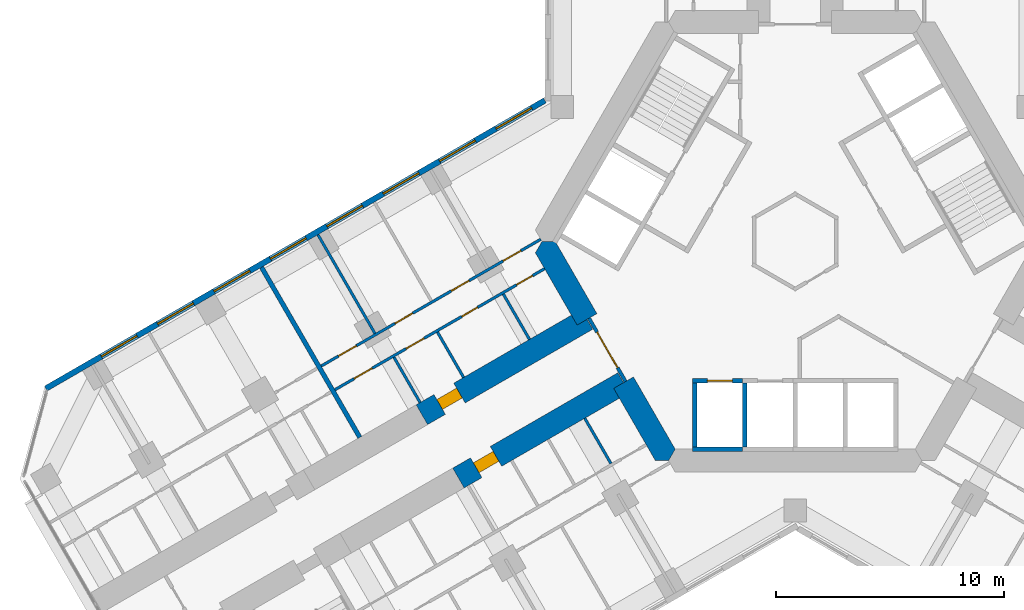
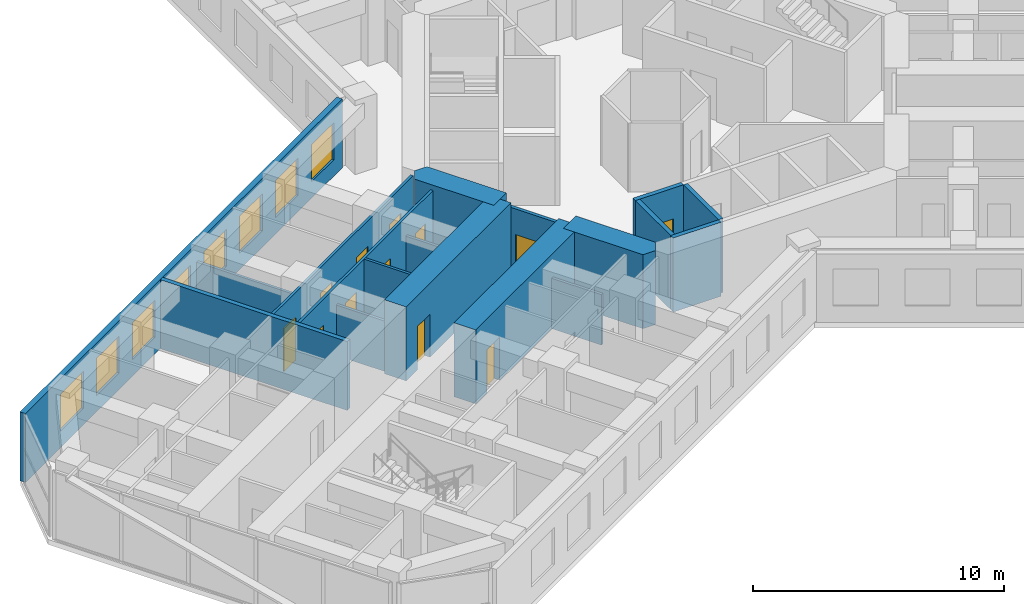
# One storey, part 12 of 21: 18 walls, 12 doors, 8 windows, 20 openings.
"""IFC4 building model written with IfcOpenShell, lengths in metres."""

import ifcopenshell
import ifcopenshell.guid

model = None  # the IFC model being written
_history = None  # IfcOwnerHistory: only IFC2X3 demands one
_inside = {}  # id of a spatial element -> (the spatial element, [elements in it])
_under = {}  # id of a project, library or spatial element -> (it, [spatial elements below it])
_declared = {}  # id of a project -> (the project, [libraries it declares])
_typed = {}  # id of a type object -> (the type object, [elements of that type])
_made_of = {}  # id of a material, layer set ... -> (it, [elements and type objects made of it])


def new_model(schema):
    """Start an empty IFC model of exactly this schema.

    Asked for "IFC4X3", IfcOpenShell would pick the latest addendum, in which some entities
    have other attributes; the version numbers below select the first issue.
    IFC2X3 requires an IfcOwnerHistory on every rooted entity: one is made here for all.
    """
    global model, _history
    if schema == "IFC4X3":
        model = ifcopenshell.file(schema_version=(4, 3, 0, 0))
    else:
        model = ifcopenshell.file(schema=schema)
    _inside.clear()
    _under.clear()
    _declared.clear()
    _typed.clear()
    _made_of.clear()
    _history = None
    if model.schema == "IFC2X3":
        org = make("IfcOrganization", Name="unknown")
        user = make(
            "IfcPersonAndOrganization",
            ThePerson=make("IfcPerson", FamilyName="unknown"),
            TheOrganization=org,
        )
        app = make(
            "IfcApplication",
            ApplicationDeveloper=org,
            Version="unknown",
            ApplicationFullName="unknown",
            ApplicationIdentifier="unknown",
        )
        _history = make(
            "IfcOwnerHistory",
            OwningUser=user,
            OwningApplication=app,
            ChangeAction="ADDED",
            CreationDate=0,
        )
    return model


def make(cls, **values):
    """One entity of the class cls with the attributes given. An attribute that is None is left unset."""
    return model.create_entity(
        cls, **{name: value for name, value in values.items() if value is not None}
    )


def rooted(cls, **values):
    """An entity with a GlobalId (a new one), such as an element, a storey or a relation."""
    return make(cls, GlobalId=ifcopenshell.guid.new(), OwnerHistory=_history, **values)


def si_unit(unit_type, name, prefix=None):
    """IfcSIUnit, for example si_unit("LENGTHUNIT", "METRE", prefix="MILLI")."""
    return make("IfcSIUnit", UnitType=unit_type, Prefix=prefix, Name=name)


def assignment(units):
    """IfcUnitAssignment: the units of a project."""
    return None if units is None else make("IfcUnitAssignment", Units=units)


def point(xyz):
    """IfcCartesianPoint."""
    return None if xyz is None else make("IfcCartesianPoint", Coordinates=xyz)


def direction(xyz):
    """IfcDirection."""
    return None if xyz is None else make("IfcDirection", DirectionRatios=xyz)


def frame(location, z_axis=None, x_axis=None):
    """IfcAxis2Placement3D, a coordinate frame: its origin and axes. An axis left out is left unset."""
    return make(
        "IfcAxis2Placement3D",
        Location=point(location),
        Axis=direction(z_axis),
        RefDirection=direction(x_axis),
    )


def frame_2d(location, x_axis=None):
    """IfcAxis2Placement2D, a coordinate frame in the plane: its origin and x axis."""
    return make(
        "IfcAxis2Placement2D", Location=point(location), RefDirection=direction(x_axis)
    )


def origin():
    """The frame at (0, 0, 0) with its axes left unset."""
    return frame((0.0, 0.0, 0.0))


def place(relative_to, where):
    """IfcLocalPlacement: puts the frame where relative to a parent placement (None: the world)."""
    return make(
        "IfcLocalPlacement", PlacementRelTo=relative_to, RelativePlacement=where
    )


def context(
    kind, dimensions, precision=None, world=None, true_north=None, identifier=None
):
    """IfcGeometricRepresentationContext, for example the 3D "Model" context."""
    return make(
        "IfcGeometricRepresentationContext",
        ContextIdentifier=identifier,
        ContextType=kind,
        CoordinateSpaceDimension=dimensions,
        Precision=precision,
        WorldCoordinateSystem=world,
        TrueNorth=true_north,
    )


def subcontext(parent, identifier, kind, view, scale=None):
    """IfcGeometricRepresentationSubContext, for example "Body" below "Model"."""
    return make(
        "IfcGeometricRepresentationSubContext",
        ContextIdentifier=identifier,
        ContextType=kind,
        ParentContext=parent,
        TargetScale=scale,
        TargetView=view,
    )


def project(units=None, contexts=None):
    """IfcProject with its units and contexts."""
    return rooted(
        "IfcProject",
        Name="project",
        RepresentationContexts=contexts,
        UnitsInContext=assignment(units),
    )


def spatial(cls, under=None, at=None, **own):
    """A site, building, storey or space (cls), placed at a placement, below another one or the project."""
    s = rooted(cls, ObjectPlacement=at, **own)
    if under is not None:
        _under.setdefault(under.id(), (under, []))[1].append(s)
    return s


def polyline(points):
    """IfcPolyline through the points."""
    return make("IfcPolyline", Points=[point(p) for p in points])


def profile(cls, at=None, kind="AREA", **sizes):
    """A parametric profile (cls). Its sizes go by their IFC names, for example OverallWidth=200.0."""
    return make(cls, ProfileType=kind, Position=at, **sizes)


def rectangle(**sizes):
    """IfcRectangleProfileDef."""
    return profile("IfcRectangleProfileDef", **sizes)


def outline(outer, holes=None, kind="AREA"):
    """IfcArbitraryClosedProfileDef: a profile drawn as a closed curve; with holes, ...WithVoids."""
    if holes is None:
        return make("IfcArbitraryClosedProfileDef", ProfileType=kind, OuterCurve=outer)
    return make(
        "IfcArbitraryProfileDefWithVoids",
        ProfileType=kind,
        OuterCurve=outer,
        InnerCurves=holes,
    )


def extrude(swept, where, along, depth):
    """IfcExtrudedAreaSolid: the profile swept, set in the frame where, extruded along a direction by depth."""
    return make(
        "IfcExtrudedAreaSolid",
        SweptArea=swept,
        Position=where,
        ExtrudedDirection=direction(along),
        Depth=depth,
    )


def shape(context_of_items, identifier, shape_type, items):
    """IfcShapeRepresentation: the items that make up one representation, for example the "Body"."""
    return make(
        "IfcShapeRepresentation",
        ContextOfItems=context_of_items,
        RepresentationIdentifier=identifier,
        RepresentationType=shape_type,
        Items=items,
    )


def material(Name=None, Category=None):
    """IfcMaterial."""
    return make("IfcMaterial", Name=Name, Category=Category)


def layer(
    of_material, thickness, ventilated=None, Name=None, Category=None, Priority=None
):
    """IfcMaterialLayer: one layer of a wall or slab, of a material (None: an air gap)."""
    return make(
        "IfcMaterialLayer",
        Material=of_material,
        LayerThickness=thickness,
        IsVentilated=ventilated,
        Name=Name,
        Category=Category,
        Priority=Priority,
    )


def layer_set(layers, Name=None):
    """IfcMaterialLayerSet."""
    return make("IfcMaterialLayerSet", MaterialLayers=layers, LayerSetName=Name)


def made_of(thing, what):
    """Note that an element or type object is made of a material, layer set ...; save() writes the relation."""
    if what is not None:
        _made_of.setdefault(what.id(), (what, []))[1].append(thing)
    return thing


def type_object(cls, material=None, **own):
    """A type object (cls), such as IfcWallType, which elements share."""
    return made_of(rooted(cls, **own), material)


def element(
    cls,
    number,
    at=None,
    inside=None,
    cuts=None,
    type_object=None,
    material=None,
    context=None,
    identifier="Body",
    shape_type=None,
    held_by="IfcProductDefinitionShape",
    body=None,
    shapes=None,
    **own,
):
    """One element of the class cls, such as IfcWall. Its Tag is "e" and its number.

    at: its placement. inside: the storey or other place that contains it. cuts: it is an
    opening in that element (IfcRelVoidsElement). A single representation is given by context,
    identifier, shape_type and body (its items); several are given by shapes. held_by: the class
    of the entity that holds the representations. save() writes the other relations.
    """
    e = rooted(cls, Tag="e%d" % number, ObjectPlacement=at, **own)
    if body is not None:
        shapes = [shape(context, identifier, shape_type, body)]
    if shapes is not None:
        e.Representation = make(held_by, Representations=shapes)
    if inside is not None:
        _inside.setdefault(inside.id(), (inside, []))[1].append(e)
    if cuts is not None:
        rooted(
            "IfcRelVoidsElement", RelatingBuildingElement=cuts, RelatedOpeningElement=e
        )
    if type_object is not None:
        _typed.setdefault(type_object.id(), (type_object, []))[1].append(e)
    return made_of(e, material)


def fill(opening, filler):
    """IfcRelFillsElement: the door or window that sits in an opening."""
    return rooted(
        "IfcRelFillsElement",
        RelatingOpeningElement=opening,
        RelatedBuildingElement=filler,
    )


def aggregate(whole, parts):
    """IfcRelAggregates: a whole, such as a stair, and the parts it consists of."""
    return rooted("IfcRelAggregates", RelatingObject=whole, RelatedObjects=parts)


def save(model, path):
    """Write the relations noted so far, then the file.

    IfcRelAggregates (storeys below a building ...), IfcRelContainedInSpatialStructure (elements
    in a storey), IfcRelDefinesByType, IfcRelAssociatesMaterial and IfcRelDeclares: one each for
    every whole, place, type object, material and project.
    """
    for whole, parts in _under.values():
        aggregate(whole, parts)
    for where, things in _inside.values():
        rooted(
            "IfcRelContainedInSpatialStructure",
            RelatedElements=things,
            RelatingStructure=where,
        )
    for kind, things in _typed.values():
        rooted("IfcRelDefinesByType", RelatedObjects=things, RelatingType=kind)
    for what, things in _made_of.values():
        rooted("IfcRelAssociatesMaterial", RelatedObjects=things, RelatingMaterial=what)
    for by, libraries in _declared.values():
        rooted("IfcRelDeclares", RelatingContext=by, RelatedDefinitions=libraries)
    model.write(path)


model = new_model("IFC4")

# Units and contexts
model_context = context("Model", 3, precision=1e-05, world=origin(), true_north=direction((0.0, 1.0)))
body_context = subcontext(model_context, "Body", "Model", "MODEL_VIEW")
ifc_project = project(units=[si_unit("LENGTHUNIT", "METRE"), si_unit("AREAUNIT", "SQUARE_METRE"), si_unit("VOLUMEUNIT", "CUBIC_METRE"), si_unit("PLANEANGLEUNIT", "RADIAN"), si_unit("MASSUNIT", "GRAM", prefix="KILO")], contexts=[model_context])

# Site, building, storey
site_placement = place(None, origin())
site = spatial("IfcSite", under=ifc_project, at=site_placement, CompositionType="ELEMENT")
building_placement = place(site_placement, origin())
building = spatial("IfcBuilding", under=site, at=building_placement, Name="Kosmar Iwan School Tower", CompositionType="ELEMENT")
storey_placement = place(building_placement, frame((0.0, 0.0, 71.800048828125)))
storey = spatial("IfcBuildingStorey", under=building, at=storey_placement, Name="L17", CompositionType="ELEMENT", Elevation=71.800048828125)

# Walls
ifc_material_1 = material(Name="Concrete C50/60", Category="concrete")
ifc_layer_1 = layer(ifc_material_1, 1.0)
ifc_layer_set_1 = layer_set([ifc_layer_1], Name="Core wall 1000")
wall_type_1 = type_object("IfcWallType", Name="Core wall 1000", PredefinedType="SHEAR", material=ifc_layer_set_1)
wall_1_placement = place(storey_placement, origin())
element("IfcWall", 1, at=wall_1_placement, inside=storey, type_object=wall_type_1, Name="Core wall F210a", PredefinedType="SHEAR", context=body_context, shape_type="SweptSolid", body=[
    extrude(outline(polyline([(-9.546875, -3.664306640625), (-8.680908203125, -3.164306640625), (-10.5078125, 0.0), (-11.085205078125, 0.0), (-11.373779296875, -0.5), (-9.546875, -3.664306640625)])), origin(), (0.0, 0.0, 1.0), 3.599853515625),
])
wall_2_placement = place(storey_placement, origin())
element("IfcWall", 2, at=wall_2_placement, inside=storey, type_object=wall_type_1, Name="Core wall F210b", PredefinedType="SHEAR", context=body_context, shape_type="SweptSolid", body=[
    extrude(outline(polyline([(-6.119873046875, -9.60009765625), (-5.54248046875, -9.60009765625), (-5.25390625, -9.10009765625), (-7.080810546875, -5.935546875), (-7.94677734375, -6.435546875), (-6.119873046875, -9.60009765625)])), origin(), (0.0, 0.0, 1.0), 3.599853515625),
])

# Wall, opening, door
ifc_material_2 = material(Name="Concrete C50/60", Category="concrete")
ifc_layer_2 = layer(ifc_material_2, 1.0)
ifc_layer_set_2 = layer_set([ifc_layer_2], Name="Corridor buttress wall 1000")
wall_type_2 = type_object("IfcWallType", Name="Corridor buttress wall 1000", PredefinedType="SHEAR", material=ifc_layer_set_2)
wall_3_placement = place(storey_placement, frame((-7.513916015625, -6.185546875, 0.0), z_axis=(0.0, 0.0, 1.0), x_axis=(-0.866019549707, -0.500010139422, 0.0)))
wall_3 = element("IfcWall", 3, at=wall_3_placement, inside=storey, type_object=wall_type_2, Name="Corridor wall BL", PredefinedType="SHEAR", context=body_context, shape_type="SweptSolid", body=[
    extrude(rectangle(XDim=8.349853515625, YDim=1.0, at=frame_2d((4.1748046875, 0.0))), origin(), (0.0, 0.0, 1.0), 3.599853515625),
])
opening_1_placement = place(wall_3_placement, frame((6.449951171875, 0.0, 0.0)))
opening_1 = element("IfcOpeningElement", 4, at=opening_1_placement, cuts=wall_3, Name="Opening D1", PredefinedType="OPENING", context=body_context, shape_type="SweptSolid", body=[
    extrude(rectangle(XDim=1.0, YDim=2.10009765625, at=frame_2d((0.5, 1.050048828125))), frame((0.0, 0.511962890625, 0.0), z_axis=(0.0, -1.0, 0.0), x_axis=(1.0, 0.0, 0.0)), (0.0, 0.0, 1.0), 1.02392578125),
])
ifc_material_3 = material(Name="Timber fire door in steel frame", Category="steel")
door_type_1 = type_object("IfcDoorType", Name="Flat entrance door 1000x2100", OperationType="SINGLE_SWING_LEFT", PredefinedType="DOOR", material=ifc_material_3)
door_1_placement = place(opening_1_placement, origin())
door_1 = element("IfcDoor", 5, at=door_1_placement, inside=storey, type_object=door_type_1, Name="Flat L17-BL1 entrance door", OperationType="SINGLE_SWING_LEFT", OverallHeight=2.10009765625, OverallWidth=1.0, PredefinedType="DOOR", context=body_context, shape_type="SweptSolid", body=[
    extrude(rectangle(XDim=1.0, YDim=2.10009765625, at=frame_2d((0.5, 1.050048828125))), frame((0.0, 0.25, 0.0), z_axis=(0.0, -1.0, 0.0), x_axis=(1.0, 0.0, 0.0)), (0.0, 0.0, 1.0), 0.5),
])
fill(opening_1, door_1)

wall_4_placement = place(storey_placement, frame((-9.11376953125, -3.414306640625, 0.0), z_axis=(0.0, 0.0, 1.0), x_axis=(-0.866026859388, -0.499997478812, 0.0)))
wall_4 = element("IfcWall", 6, at=wall_4_placement, inside=storey, type_object=wall_type_2, Name="Corridor wall BR", PredefinedType="SHEAR", context=body_context, shape_type="SweptSolid", body=[
    extrude(rectangle(XDim=8.35009765625, YDim=1.0, at=frame_2d((4.175048828125, 0.0))), origin(), (0.0, 0.0, 1.0), 3.599853515625),
])
opening_2_placement = place(wall_4_placement, frame((6.449951171875, 0.0, 0.0)))
opening_2 = element("IfcOpeningElement", 7, at=opening_2_placement, cuts=wall_4, Name="Opening D1", PredefinedType="OPENING", context=body_context, shape_type="SweptSolid", body=[
    extrude(rectangle(XDim=1.0, YDim=2.10009765625, at=frame_2d((0.5, 1.050048828125))), frame((0.0, 0.511962890625, 0.0), z_axis=(0.0, -1.0, 0.0), x_axis=(1.0, 0.0, 0.0)), (0.0, 0.0, 1.0), 1.02392578125),
])
door_2_placement = place(opening_2_placement, origin())
door_2 = element("IfcDoor", 8, at=door_2_placement, inside=storey, type_object=door_type_1, Name="Flat L17-BR1 entrance door", OperationType="SINGLE_SWING_RIGHT", OverallHeight=2.10009765625, OverallWidth=1.0, PredefinedType="DOOR", context=body_context, shape_type="SweptSolid", body=[
    extrude(rectangle(XDim=1.0, YDim=2.10009765625, at=frame_2d((0.5, 1.050048828125))), frame((0.0, 0.25, 0.0), z_axis=(0.0, -1.0, 0.0), x_axis=(1.0, 0.0, 0.0)), (0.0, 0.0, 1.0), 0.5),
])
fill(opening_2, door_2)

ifc_material_4 = material(Name="Steel framed glazed screen", Category="steel")
ifc_layer_3 = layer(ifc_material_4, 0.14990234375)
ifc_layer_set_3 = layer_set([ifc_layer_3], Name="Corridor screen wall 150")
wall_type_3 = type_object("IfcWallType", Name="Corridor screen wall 150", PredefinedType="PARTITIONING", material=ifc_layer_set_3)
wall_5_placement = place(storey_placement, frame((-9.02734375, -3.3642578125, 0.0), z_axis=(0.0, 0.0, 1.0), x_axis=(0.499995408039, -0.866028054938, 0.0)))
wall_5 = element("IfcWall", 9, at=wall_5_placement, inside=storey, type_object=wall_type_3, Name="Corridor screen B L17", PredefinedType="PARTITIONING", context=body_context, shape_type="SweptSolid", body=[
    extrude(rectangle(XDim=3.2001953125, YDim=0.14990234375, at=frame_2d((1.60009765625, 0.0))), origin(), (0.0, 0.0, 1.0), 3.349853515625),
])
opening_3_placement = place(wall_5_placement, frame((0.699951171875, 0.0, 0.0)))
opening_3 = element("IfcOpeningElement", 10, at=opening_3_placement, cuts=wall_5, Name="Opening D9", PredefinedType="OPENING", context=body_context, shape_type="SweptSolid", body=[
    extrude(rectangle(XDim=1.800048828125, YDim=2.10009765625, at=frame_2d((0.89990234375, 1.050048828125))), frame((0.0, 0.0869140625, 0.0), z_axis=(0.0, -1.0, 0.0), x_axis=(1.0, 0.0, 0.0)), (0.0, 0.0, 1.0), 0.173828125),
])
ifc_material_5 = material(Name="Steel framed glazed smoke door", Category="steel")
door_type_2 = type_object("IfcDoorType", Name="Corridor smoke door pair 1800x2100", OperationType="DOUBLE_DOOR_DOUBLE_SWING", PredefinedType="DOOR", material=ifc_material_5)
door_3_placement = place(opening_3_placement, origin())
door_3 = element("IfcDoor", 11, at=door_3_placement, inside=storey, type_object=door_type_2, Name="Corridor doors B L17", OperationType="DOUBLE_DOOR_DOUBLE_SWING", OverallHeight=2.10009765625, OverallWidth=1.800048828125, PredefinedType="DOOR", context=body_context, shape_type="SweptSolid", body=[
    extrude(rectangle(XDim=1.800048828125, YDim=2.10009765625, at=frame_2d((0.89990234375, 1.050048828125))), frame((0.0, 0.02490234375, 0.0), z_axis=(0.0, -1.0, 0.0), x_axis=(1.0, 0.0, 0.0)), (0.0, 0.0, 1.0), 0.050048828125),
])
fill(opening_3, door_3)

# Wall
ifc_material_6 = material(Name="Gypsum board on steel studs", Category="steel")
ifc_layer_4 = layer(ifc_material_6, 0.1201171875)
ifc_layer_set_4 = layer_set([ifc_layer_4], Name="Dwelling partition 120")
wall_type_4 = type_object("IfcWallType", Name="Dwelling partition 120", PredefinedType="PARTITIONING", material=ifc_layer_set_4)
wall_6_placement = place(storey_placement, frame((-9.21240234375, -7.74365234375, 0.0), z_axis=(0.0, 0.0, 1.0), x_axis=(0.500014693593, -0.866016920268, 0.0)))
element("IfcWall", 12, at=wall_6_placement, inside=storey, type_object=wall_type_4, Name="Partition L17-BL1-Y1", PredefinedType="PARTITIONING", context=body_context, shape_type="SweptSolid", body=[
    extrude(rectangle(XDim=2.2900390625, YDim=0.1201171875, at=frame_2d((1.14501953125, 0.0))), origin(), (0.0, 0.0, 1.0), 2.449951171875),
])

# Wall, openings, doors
wall_7_placement = place(storey_placement, frame((-10.971923828125, -1.1962890625, 0.0), z_axis=(0.0, 0.0, 1.0), x_axis=(-0.866034853001, -0.49998363312, 0.0)))
wall_7 = element("IfcWall", 13, at=wall_7_placement, inside=storey, type_object=wall_type_4, Name="Partition L17-BR1-W1", PredefinedType="PARTITIONING", context=body_context, shape_type="SweptSolid", body=[
    extrude(rectangle(XDim=10.599853515625, YDim=0.1201171875, at=frame_2d((5.2998046875, 0.0))), origin(), (0.0, 0.0, 1.0), 3.349853515625),
])
opening_4_placement = place(wall_7_placement, frame((0.610107421875, 0.0, 0.0)))
opening_4 = element("IfcOpeningElement", 14, at=opening_4_placement, cuts=wall_7, Name="Opening D3", PredefinedType="OPENING", context=body_context, shape_type="SweptSolid", body=[
    extrude(rectangle(XDim=0.800048828125, YDim=2.10009765625, at=frame_2d((0.39990234375, 1.050048828125))), frame((0.0, 0.072021484375, 0.0), z_axis=(0.0, -1.0, 0.0), x_axis=(1.0, 0.0, 0.0)), (0.0, 0.0, 1.0), 0.14404296875),
])
opening_5_placement = place(wall_7_placement, frame((3.385009765625, 0.0, 0.0)))
opening_5 = element("IfcOpeningElement", 15, at=opening_5_placement, cuts=wall_7, Name="Opening D3", PredefinedType="OPENING", context=body_context, shape_type="SweptSolid", body=[
    extrude(rectangle(XDim=0.800048828125, YDim=2.10009765625, at=frame_2d((0.39990234375, 1.050048828125))), frame((0.0, 0.072021484375, 0.0), z_axis=(0.0, -1.0, 0.0), x_axis=(1.0, 0.0, 0.0)), (0.0, 0.0, 1.0), 0.14404296875),
])
opening_6_placement = place(wall_7_placement, frame((6.10009765625, 0.0, 0.0)))
opening_6 = element("IfcOpeningElement", 16, at=opening_6_placement, cuts=wall_7, Name="Opening D2", PredefinedType="OPENING", context=body_context, shape_type="SweptSolid", body=[
    extrude(rectangle(XDim=0.89990234375, YDim=2.10009765625, at=frame_2d((0.449951171875, 1.050048828125))), frame((0.0, 0.072021484375, 0.0), z_axis=(0.0, -1.0, 0.0), x_axis=(1.0, 0.0, 0.0)), (0.0, 0.0, 1.0), 0.14404296875),
])
opening_7_placement = place(wall_7_placement, frame((8.72509765625, 0.0, 0.0)))
opening_7 = element("IfcOpeningElement", 17, at=opening_7_placement, cuts=wall_7, Name="Opening D2", PredefinedType="OPENING", context=body_context, shape_type="SweptSolid", body=[
    extrude(rectangle(XDim=0.89990234375, YDim=2.10009765625, at=frame_2d((0.449951171875, 1.050048828125))), frame((0.0, 0.072021484375, 0.0), z_axis=(0.0, -1.0, 0.0), x_axis=(1.0, 0.0, 0.0)), (0.0, 0.0, 1.0), 0.14404296875),
])
ifc_material_7 = material(Name="Timber door in timber frame", Category="wood")
door_type_3 = type_object("IfcDoorType", Name="Internal door 900x2100", OperationType="SINGLE_SWING_LEFT", PredefinedType="DOOR", material=ifc_material_7)
door_4_placement = place(opening_6_placement, origin())
door_4 = element("IfcDoor", 18, at=door_4_placement, inside=storey, type_object=door_type_3, Name="Entrance hall door L17-BR1-S3", OperationType="SINGLE_SWING_LEFT", OverallHeight=2.10009765625, OverallWidth=0.89990234375, PredefinedType="DOOR", context=body_context, shape_type="SweptSolid", body=[
    extrude(rectangle(XDim=0.89990234375, YDim=2.10009765625, at=frame_2d((0.449951171875, 1.050048828125))), frame((0.0, 0.02490234375, 0.0), z_axis=(0.0, -1.0, 0.0), x_axis=(1.0, 0.0, 0.0)), (0.0, 0.0, 1.0), 0.050048828125),
])
fill(opening_6, door_4)
door_5_placement = place(opening_7_placement, origin())
door_5 = element("IfcDoor", 19, at=door_5_placement, inside=storey, type_object=door_type_3, Name="Pantry door L17-BR1-S4", OperationType="SINGLE_SWING_RIGHT", OverallHeight=2.10009765625, OverallWidth=0.89990234375, PredefinedType="DOOR", context=body_context, shape_type="SweptSolid", body=[
    extrude(rectangle(XDim=0.89990234375, YDim=2.10009765625, at=frame_2d((0.449951171875, 1.050048828125))), frame((0.0, 0.02490234375, 0.0), z_axis=(0.0, -1.0, 0.0), x_axis=(1.0, 0.0, 0.0)), (0.0, 0.0, 1.0), 0.050048828125),
])
fill(opening_7, door_5)
ifc_material_8 = material(Name="Timber door in timber frame", Category="wood")
door_type_4 = type_object("IfcDoorType", Name="Sanitary room door 800x2100", OperationType="SINGLE_SWING_LEFT", PredefinedType="DOOR", material=ifc_material_8)
door_6_placement = place(opening_4_placement, origin())
door_6 = element("IfcDoor", 20, at=door_6_placement, inside=storey, type_object=door_type_4, Name="Shower room door L17-BR1-S1", OperationType="SINGLE_SWING_LEFT", OverallHeight=2.10009765625, OverallWidth=0.800048828125, PredefinedType="DOOR", context=body_context, shape_type="SweptSolid", body=[
    extrude(rectangle(XDim=0.800048828125, YDim=2.10009765625, at=frame_2d((0.39990234375, 1.050048828125))), frame((0.0, 0.02490234375, 0.0), z_axis=(0.0, -1.0, 0.0), x_axis=(1.0, 0.0, 0.0)), (0.0, 0.0, 1.0), 0.050048828125),
])
fill(opening_4, door_6)
door_7_placement = place(opening_5_placement, origin())
door_7 = element("IfcDoor", 21, at=door_7_placement, inside=storey, type_object=door_type_4, Name="Bathroom door L17-BR1-S2", OperationType="SINGLE_SWING_RIGHT", OverallHeight=2.10009765625, OverallWidth=0.800048828125, PredefinedType="DOOR", context=body_context, shape_type="SweptSolid", body=[
    extrude(rectangle(XDim=0.800048828125, YDim=2.10009765625, at=frame_2d((0.39990234375, 1.050048828125))), frame((0.0, 0.02490234375, 0.0), z_axis=(0.0, -1.0, 0.0), x_axis=(1.0, 0.0, 0.0)), (0.0, 0.0, 1.0), 0.050048828125),
])
fill(opening_5, door_7)

wall_8_placement = place(storey_placement, frame((-11.138916015625, 0.093017578125, 0.0), z_axis=(0.0, 0.0, 1.0), x_axis=(-0.866021494144, -0.500006771635, 0.0)))
wall_8 = element("IfcWall", 22, at=wall_8_placement, inside=storey, type_object=wall_type_4, Name="Partition L17-BR1-W2", PredefinedType="PARTITIONING", context=body_context, shape_type="SweptSolid", body=[
    extrude(rectangle(XDim=11.099853515625, YDim=0.1201171875, at=frame_2d((5.5498046875, 0.0))), origin(), (0.0, 0.0, 1.0), 3.349853515625),
])
opening_8_placement = place(wall_8_placement, frame((1.0, 0.0, 0.0)))
opening_8 = element("IfcOpeningElement", 23, at=opening_8_placement, cuts=wall_8, Name="Opening D2", PredefinedType="OPENING", context=body_context, shape_type="SweptSolid", body=[
    extrude(rectangle(XDim=0.89990234375, YDim=2.10009765625, at=frame_2d((0.449951171875, 1.050048828125))), frame((0.0, 0.072021484375, 0.0), z_axis=(0.0, -1.0, 0.0), x_axis=(1.0, 0.0, 0.0)), (0.0, 0.0, 1.0), 0.14404296875),
])
opening_9_placement = place(wall_8_placement, frame((3.625, 0.0, 0.0)))
opening_9 = element("IfcOpeningElement", 24, at=opening_9_placement, cuts=wall_8, Name="Opening D2", PredefinedType="OPENING", context=body_context, shape_type="SweptSolid", body=[
    extrude(rectangle(XDim=0.89990234375, YDim=2.10009765625, at=frame_2d((0.449951171875, 1.050048828125))), frame((0.0, 0.072021484375, 0.0), z_axis=(0.0, -1.0, 0.0), x_axis=(1.0, 0.0, 0.0)), (0.0, 0.0, 1.0), 0.14404296875),
])
opening_10_placement = place(wall_8_placement, frame((6.47509765625, 0.0, 0.0)))
opening_10 = element("IfcOpeningElement", 25, at=opening_10_placement, cuts=wall_8, Name="Opening D2", PredefinedType="OPENING", context=body_context, shape_type="SweptSolid", body=[
    extrude(rectangle(XDim=0.89990234375, YDim=2.10009765625, at=frame_2d((0.449951171875, 1.050048828125))), frame((0.0, 0.072021484375, 0.0), z_axis=(0.0, -1.0, 0.0), x_axis=(1.0, 0.0, 0.0)), (0.0, 0.0, 1.0), 0.14404296875),
])
opening_11_placement = place(wall_8_placement, frame((9.324951171875, 0.0, 0.0)))
opening_11 = element("IfcOpeningElement", 26, at=opening_11_placement, cuts=wall_8, Name="Opening D2", PredefinedType="OPENING", context=body_context, shape_type="SweptSolid", body=[
    extrude(rectangle(XDim=0.89990234375, YDim=2.10009765625, at=frame_2d((0.449951171875, 1.050048828125))), frame((0.0, 0.072021484375, 0.0), z_axis=(0.0, -1.0, 0.0), x_axis=(1.0, 0.0, 0.0)), (0.0, 0.0, 1.0), 0.14404296875),
])
door_8_placement = place(opening_8_placement, origin())
door_8 = element("IfcDoor", 27, at=door_8_placement, inside=storey, type_object=door_type_3, Name="Living room and kitchen door L17-BR1-F1", OperationType="SINGLE_SWING_LEFT", OverallHeight=2.10009765625, OverallWidth=0.89990234375, PredefinedType="DOOR", context=body_context, shape_type="SweptSolid", body=[
    extrude(rectangle(XDim=0.89990234375, YDim=2.10009765625, at=frame_2d((0.449951171875, 1.050048828125))), frame((0.0, 0.02490234375, 0.0), z_axis=(0.0, -1.0, 0.0), x_axis=(1.0, 0.0, 0.0)), (0.0, 0.0, 1.0), 0.050048828125),
])
fill(opening_8, door_8)
door_9_placement = place(opening_9_placement, origin())
door_9 = element("IfcDoor", 28, at=door_9_placement, inside=storey, type_object=door_type_3, Name="Study door L17-BR1-F2", OperationType="SINGLE_SWING_LEFT", OverallHeight=2.10009765625, OverallWidth=0.89990234375, PredefinedType="DOOR", context=body_context, shape_type="SweptSolid", body=[
    extrude(rectangle(XDim=0.89990234375, YDim=2.10009765625, at=frame_2d((0.449951171875, 1.050048828125))), frame((0.0, 0.02490234375, 0.0), z_axis=(0.0, -1.0, 0.0), x_axis=(1.0, 0.0, 0.0)), (0.0, 0.0, 1.0), 0.050048828125),
])
fill(opening_9, door_9)
door_10_placement = place(opening_10_placement, origin())
door_10 = element("IfcDoor", 29, at=door_10_placement, inside=storey, type_object=door_type_3, Name="Bedroom 1 door L17-BR1-F3", OperationType="SINGLE_SWING_RIGHT", OverallHeight=2.10009765625, OverallWidth=0.89990234375, PredefinedType="DOOR", context=body_context, shape_type="SweptSolid", body=[
    extrude(rectangle(XDim=0.89990234375, YDim=2.10009765625, at=frame_2d((0.449951171875, 1.050048828125))), frame((0.0, 0.02490234375, 0.0), z_axis=(0.0, -1.0, 0.0), x_axis=(1.0, 0.0, 0.0)), (0.0, 0.0, 1.0), 0.050048828125),
])
fill(opening_10, door_10)
door_11_placement = place(opening_11_placement, origin())
door_11 = element("IfcDoor", 30, at=door_11_placement, inside=storey, type_object=door_type_3, Name="Bedroom 2 door L17-BR1-F4", OperationType="SINGLE_SWING_RIGHT", OverallHeight=2.10009765625, OverallWidth=0.89990234375, PredefinedType="DOOR", context=body_context, shape_type="SweptSolid", body=[
    extrude(rectangle(XDim=0.89990234375, YDim=2.10009765625, at=frame_2d((0.449951171875, 1.050048828125))), frame((0.0, 0.02490234375, 0.0), z_axis=(0.0, -1.0, 0.0), x_axis=(1.0, 0.0, 0.0)), (0.0, 0.0, 1.0), 0.050048828125),
])
fill(opening_11, door_11)

# Walls
wall_9_placement = place(storey_placement, frame((-18.400146484375, -4.030029296875, 0.0), z_axis=(0.0, 0.0, 1.0), x_axis=(-0.500011847778, 0.866018563358, 0.0)))
element("IfcWall", 31, at=wall_9_placement, inside=storey, type_object=wall_type_4, Name="Partition L17-BR1-X3", PredefinedType="PARTITIONING", context=body_context, shape_type="SweptSolid", body=[
    extrude(rectangle(XDim=4.990234375, YDim=0.1201171875, at=frame_2d((2.4951171875, 0.0))), origin(), (0.0, 0.0, 1.0), 2.449951171875),
])
wall_10_placement = place(storey_placement, frame((-11.6328125, -4.291259765625, 0.0), z_axis=(0.0, 0.0, 1.0), x_axis=(-0.500014693593, 0.866016920268, 0.0)))
element("IfcWall", 32, at=wall_10_placement, inside=storey, type_object=wall_type_4, Name="Partition L17-BR1-Y1", PredefinedType="PARTITIONING", context=body_context, shape_type="SweptSolid", body=[
    extrude(rectangle(XDim=2.2900390625, YDim=0.1201171875, at=frame_2d((1.14501953125, 0.0))), origin(), (0.0, 0.0, 1.0), 2.449951171875),
])
wall_11_placement = place(storey_placement, frame((-14.5166015625, -5.956298828125, 0.0), z_axis=(0.0, 0.0, 1.0), x_axis=(-0.500014693593, 0.866016920268, 0.0)))
element("IfcWall", 33, at=wall_11_placement, inside=storey, type_object=wall_type_4, Name="Partition L17-BR1-Y2", PredefinedType="PARTITIONING", context=body_context, shape_type="SweptSolid", body=[
    extrude(rectangle(XDim=2.2900390625, YDim=0.1201171875, at=frame_2d((1.14501953125, 0.0))), origin(), (0.0, 0.0, 1.0), 3.349853515625),
])
wall_12_placement = place(storey_placement, frame((-16.421875, -7.056396484375, 0.0), z_axis=(0.0, 0.0, 1.0), x_axis=(-0.500014693593, 0.866016920268, 0.0)))
element("IfcWall", 34, at=wall_12_placement, inside=storey, type_object=wall_type_4, Name="Partition L17-BR1-Y3", PredefinedType="PARTITIONING", context=body_context, shape_type="SweptSolid", body=[
    extrude(rectangle(XDim=2.2900390625, YDim=0.1201171875, at=frame_2d((1.14501953125, 0.0))), origin(), (0.0, 0.0, 1.0), 2.449951171875),
])

# Wall, openings, windows
ifc_material_9 = material(Name="Black aluminium rainscreen on insulated framing", Category="aluminium")
ifc_layer_5 = layer(ifc_material_9, 0.25)
ifc_layer_set_5 = layer_set([ifc_layer_5], Name="External wall rainscreen 250")
wall_type_5 = type_object("IfcWallType", Name="External wall rainscreen 250", PredefinedType="SOLIDWALL", material=ifc_layer_set_5)
wall_13_placement = place(storey_placement, frame((-10.962890625, 6.170166015625, 0.0), z_axis=(0.0, 0.0, 1.0), x_axis=(-0.86602796634, -0.499995561497, 0.0)))
wall_13 = element("IfcWall", 35, at=wall_13_placement, inside=storey, type_object=wall_type_5, Name="External wall BR L17", PredefinedType="SOLIDWALL", context=body_context, shape_type="SweptSolid", body=[
    extrude(rectangle(XDim=25.226318359375, YDim=0.25, at=frame_2d((12.61328125, 0.0))), origin(), (0.0, 0.0, 1.0), 3.349853515625),
])
opening_12_placement = place(wall_13_placement, frame((0.666015625, 0.0, 0.800048828125)))
opening_12 = element("IfcOpeningElement", 36, at=opening_12_placement, cuts=wall_13, Name="Opening W1", PredefinedType="OPENING", context=body_context, shape_type="SweptSolid", body=[
    extrude(rectangle(XDim=1.800048828125, YDim=1.800048828125, at=frame_2d((0.89990234375, 0.89990234375))), frame((0.0, 0.136962890625, 0.0), z_axis=(0.0, -1.0, 0.0), x_axis=(1.0, 0.0, 0.0)), (0.0, 0.0, 1.0), 0.27392578125),
])
opening_13_placement = place(wall_13_placement, frame((3.51611328125, 0.0, 0.800048828125)))
opening_13 = element("IfcOpeningElement", 37, at=opening_13_placement, cuts=wall_13, Name="Opening W1", PredefinedType="OPENING", context=body_context, shape_type="SweptSolid", body=[
    extrude(rectangle(XDim=1.800048828125, YDim=1.800048828125, at=frame_2d((0.89990234375, 0.89990234375))), frame((0.0, 0.136962890625, 0.0), z_axis=(0.0, -1.0, 0.0), x_axis=(1.0, 0.0, 0.0)), (0.0, 0.0, 1.0), 0.27392578125),
])
opening_14_placement = place(wall_13_placement, frame((6.365966796875, 0.0, 0.800048828125)))
opening_14 = element("IfcOpeningElement", 38, at=opening_14_placement, cuts=wall_13, Name="Opening W1", PredefinedType="OPENING", context=body_context, shape_type="SweptSolid", body=[
    extrude(rectangle(XDim=1.800048828125, YDim=1.800048828125, at=frame_2d((0.89990234375, 0.89990234375))), frame((0.0, 0.136962890625, 0.0), z_axis=(0.0, -1.0, 0.0), x_axis=(1.0, 0.0, 0.0)), (0.0, 0.0, 1.0), 0.27392578125),
])
opening_15_placement = place(wall_13_placement, frame((9.216064453125, 0.0, 0.800048828125)))
opening_15 = element("IfcOpeningElement", 39, at=opening_15_placement, cuts=wall_13, Name="Opening W1", PredefinedType="OPENING", context=body_context, shape_type="SweptSolid", body=[
    extrude(rectangle(XDim=1.800048828125, YDim=1.800048828125, at=frame_2d((0.89990234375, 0.89990234375))), frame((0.0, 0.136962890625, 0.0), z_axis=(0.0, -1.0, 0.0), x_axis=(1.0, 0.0, 0.0)), (0.0, 0.0, 1.0), 0.27392578125),
])
opening_16_placement = place(wall_13_placement, frame((12.06591796875, 0.0, 0.800048828125)))
opening_16 = element("IfcOpeningElement", 40, at=opening_16_placement, cuts=wall_13, Name="Opening W1", PredefinedType="OPENING", context=body_context, shape_type="SweptSolid", body=[
    extrude(rectangle(XDim=1.800048828125, YDim=1.800048828125, at=frame_2d((0.89990234375, 0.89990234375))), frame((0.0, 0.136962890625, 0.0), z_axis=(0.0, -1.0, 0.0), x_axis=(1.0, 0.0, 0.0)), (0.0, 0.0, 1.0), 0.27392578125),
])
opening_17_placement = place(wall_13_placement, frame((14.916015625, 0.0, 0.800048828125)))
opening_17 = element("IfcOpeningElement", 41, at=opening_17_placement, cuts=wall_13, Name="Opening W1", PredefinedType="OPENING", context=body_context, shape_type="SweptSolid", body=[
    extrude(rectangle(XDim=1.800048828125, YDim=1.800048828125, at=frame_2d((0.89990234375, 0.89990234375))), frame((0.0, 0.136962890625, 0.0), z_axis=(0.0, -1.0, 0.0), x_axis=(1.0, 0.0, 0.0)), (0.0, 0.0, 1.0), 0.27392578125),
])
opening_18_placement = place(wall_13_placement, frame((17.76611328125, 0.0, 0.800048828125)))
opening_18 = element("IfcOpeningElement", 42, at=opening_18_placement, cuts=wall_13, Name="Opening W1", PredefinedType="OPENING", context=body_context, shape_type="SweptSolid", body=[
    extrude(rectangle(XDim=1.800048828125, YDim=1.800048828125, at=frame_2d((0.89990234375, 0.89990234375))), frame((0.0, 0.136962890625, 0.0), z_axis=(0.0, -1.0, 0.0), x_axis=(1.0, 0.0, 0.0)), (0.0, 0.0, 1.0), 0.27392578125),
])
opening_19_placement = place(wall_13_placement, frame((20.615966796875, 0.0, 0.800048828125)))
opening_19 = element("IfcOpeningElement", 43, at=opening_19_placement, cuts=wall_13, Name="Opening W1", PredefinedType="OPENING", context=body_context, shape_type="SweptSolid", body=[
    extrude(rectangle(XDim=1.800048828125, YDim=1.800048828125, at=frame_2d((0.89990234375, 0.89990234375))), frame((0.0, 0.136962890625, 0.0), z_axis=(0.0, -1.0, 0.0), x_axis=(1.0, 0.0, 0.0)), (0.0, 0.0, 1.0), 0.27392578125),
])
ifc_material_10 = material(Name="Black aluminium frame with dark triple glazing", Category="aluminium")
window_type = type_object("IfcWindowType", Name="Window 1800x1800", PartitioningType="SINGLE_PANEL", PredefinedType="WINDOW", material=ifc_material_10)
window_1_placement = place(opening_12_placement, origin())
window_1 = element("IfcWindow", 44, at=window_1_placement, inside=storey, type_object=window_type, Name="Window BR L17 -1", OverallHeight=1.800048828125, OverallWidth=1.800048828125, PartitioningType="SINGLE_PANEL", PredefinedType="WINDOW", context=body_context, shape_type="SweptSolid", body=[
    extrude(rectangle(XDim=1.800048828125, YDim=1.800048828125, at=frame_2d((0.89990234375, 0.89990234375))), frame((0.0, 0.030029296875, 0.0), z_axis=(0.0, -1.0, 0.0), x_axis=(1.0, 0.0, 0.0)), (0.0, 0.0, 1.0), 0.06005859375),
])
fill(opening_12, window_1)
window_2_placement = place(opening_13_placement, origin())
window_2 = element("IfcWindow", 45, at=window_2_placement, inside=storey, type_object=window_type, Name="Window BR L17 0", OverallHeight=1.800048828125, OverallWidth=1.800048828125, PartitioningType="SINGLE_PANEL", PredefinedType="WINDOW", context=body_context, shape_type="SweptSolid", body=[
    extrude(rectangle(XDim=1.800048828125, YDim=1.800048828125, at=frame_2d((0.89990234375, 0.89990234375))), frame((0.0, 0.030029296875, 0.0), z_axis=(0.0, -1.0, 0.0), x_axis=(1.0, 0.0, 0.0)), (0.0, 0.0, 1.0), 0.06005859375),
])
fill(opening_13, window_2)
window_3_placement = place(opening_14_placement, origin())
window_3 = element("IfcWindow", 46, at=window_3_placement, inside=storey, type_object=window_type, Name="Window BR L17 1", OverallHeight=1.800048828125, OverallWidth=1.800048828125, PartitioningType="SINGLE_PANEL", PredefinedType="WINDOW", context=body_context, shape_type="SweptSolid", body=[
    extrude(rectangle(XDim=1.800048828125, YDim=1.800048828125, at=frame_2d((0.89990234375, 0.89990234375))), frame((0.0, 0.030029296875, 0.0), z_axis=(0.0, -1.0, 0.0), x_axis=(1.0, 0.0, 0.0)), (0.0, 0.0, 1.0), 0.06005859375),
])
fill(opening_14, window_3)
window_4_placement = place(opening_15_placement, origin())
window_4 = element("IfcWindow", 47, at=window_4_placement, inside=storey, type_object=window_type, Name="Window BR L17 2", OverallHeight=1.800048828125, OverallWidth=1.800048828125, PartitioningType="SINGLE_PANEL", PredefinedType="WINDOW", context=body_context, shape_type="SweptSolid", body=[
    extrude(rectangle(XDim=1.800048828125, YDim=1.800048828125, at=frame_2d((0.89990234375, 0.89990234375))), frame((0.0, 0.030029296875, 0.0), z_axis=(0.0, -1.0, 0.0), x_axis=(1.0, 0.0, 0.0)), (0.0, 0.0, 1.0), 0.06005859375),
])
fill(opening_15, window_4)
window_5_placement = place(opening_16_placement, origin())
window_5 = element("IfcWindow", 48, at=window_5_placement, inside=storey, type_object=window_type, Name="Window BR L17 3", OverallHeight=1.800048828125, OverallWidth=1.800048828125, PartitioningType="SINGLE_PANEL", PredefinedType="WINDOW", context=body_context, shape_type="SweptSolid", body=[
    extrude(rectangle(XDim=1.800048828125, YDim=1.800048828125, at=frame_2d((0.89990234375, 0.89990234375))), frame((0.0, 0.030029296875, 0.0), z_axis=(0.0, -1.0, 0.0), x_axis=(1.0, 0.0, 0.0)), (0.0, 0.0, 1.0), 0.06005859375),
])
fill(opening_16, window_5)
window_6_placement = place(opening_17_placement, origin())
window_6 = element("IfcWindow", 49, at=window_6_placement, inside=storey, type_object=window_type, Name="Window BR L17 4", OverallHeight=1.800048828125, OverallWidth=1.800048828125, PartitioningType="SINGLE_PANEL", PredefinedType="WINDOW", context=body_context, shape_type="SweptSolid", body=[
    extrude(rectangle(XDim=1.800048828125, YDim=1.800048828125, at=frame_2d((0.89990234375, 0.89990234375))), frame((0.0, 0.030029296875, 0.0), z_axis=(0.0, -1.0, 0.0), x_axis=(1.0, 0.0, 0.0)), (0.0, 0.0, 1.0), 0.06005859375),
])
fill(opening_17, window_6)
window_7_placement = place(opening_18_placement, origin())
window_7 = element("IfcWindow", 50, at=window_7_placement, inside=storey, type_object=window_type, Name="Window BR L17 5", OverallHeight=1.800048828125, OverallWidth=1.800048828125, PartitioningType="SINGLE_PANEL", PredefinedType="WINDOW", context=body_context, shape_type="SweptSolid", body=[
    extrude(rectangle(XDim=1.800048828125, YDim=1.800048828125, at=frame_2d((0.89990234375, 0.89990234375))), frame((0.0, 0.030029296875, 0.0), z_axis=(0.0, -1.0, 0.0), x_axis=(1.0, 0.0, 0.0)), (0.0, 0.0, 1.0), 0.06005859375),
])
fill(opening_18, window_7)
window_8_placement = place(opening_19_placement, origin())
window_8 = element("IfcWindow", 51, at=window_8_placement, inside=storey, type_object=window_type, Name="Window BR L17 6", OverallHeight=1.800048828125, OverallWidth=1.800048828125, PartitioningType="SINGLE_PANEL", PredefinedType="WINDOW", context=body_context, shape_type="SweptSolid", body=[
    extrude(rectangle(XDim=1.800048828125, YDim=1.800048828125, at=frame_2d((0.89990234375, 0.89990234375))), frame((0.0, 0.030029296875, 0.0), z_axis=(0.0, -1.0, 0.0), x_axis=(1.0, 0.0, 0.0)), (0.0, 0.0, 1.0), 0.06005859375),
])
fill(opening_19, window_8)

# Wall, opening, door
ifc_material_11 = material(Name="Concrete C50/60", Category="concrete")
ifc_layer_6 = layer(ifc_material_11, 0.199951171875)
ifc_layer_set_6 = layer_set([ifc_layer_6], Name="Lift shaft wall 200")
wall_type_6 = type_object("IfcWallType", Name="Lift shaft wall 200", PredefinedType="SHEAR", material=ifc_layer_set_6)
wall_14_placement = place(storey_placement, frame((-4.5, -6.10009765625, 0.0), z_axis=(0.0, 0.0, 1.0), x_axis=(1.0, 0.0, 0.0)))
wall_14 = element("IfcWall", 52, at=wall_14_placement, inside=storey, type_object=wall_type_6, Name="Lift and stair front wall BC", PredefinedType="SHEAR", context=body_context, shape_type="SweptSolid", body=[
    extrude(rectangle(XDim=2.199951171875, YDim=0.199951171875, at=frame_2d((1.10009765625, 0.0))), origin(), (0.0, 0.0, 1.0), 3.599853515625),
])
opening_20_placement = place(wall_14_placement, frame((0.64990234375, 0.0, 0.0)))
opening_20 = element("IfcOpeningElement", 53, at=opening_20_placement, cuts=wall_14, Name="Opening LD1", PredefinedType="OPENING", context=body_context, shape_type="SweptSolid", body=[
    extrude(rectangle(XDim=1.10009765625, YDim=2.10009765625, at=frame_2d((0.550048828125, 1.050048828125))), frame((0.0, 0.112060546875, 0.0), z_axis=(0.0, -1.0, 0.0), x_axis=(1.0, 0.0, 0.0)), (0.0, 0.0, 1.0), 0.223876953125),
])
ifc_material_12 = material(Name="Stainless steel sliding lift door", Category="steel")
door_type_5 = type_object("IfcDoorType", Name="Lift landing door 1100x2100", OperationType="SLIDING_TO_LEFT", PredefinedType="DOOR", material=ifc_material_12)
door_12_placement = place(opening_20_placement, origin())
door_12 = element("IfcDoor", 54, at=door_12_placement, inside=storey, type_object=door_type_5, Name="Lift PL1 landing door L17", OperationType="SLIDING_TO_LEFT", OverallHeight=2.10009765625, OverallWidth=1.10009765625, PredefinedType="DOOR", context=body_context, shape_type="SweptSolid", body=[
    extrude(rectangle(XDim=1.10009765625, YDim=2.10009765625, at=frame_2d((0.550048828125, 1.050048828125))), frame((0.0, 0.02490234375, 0.0), z_axis=(0.0, -1.0, 0.0), x_axis=(1.0, 0.0, 0.0)), (0.0, 0.0, 1.0), 0.050048828125),
])
fill(opening_20, door_12)

# Walls
wall_15_placement = place(storey_placement, frame((-4.5, -9.10009765625, 0.0), z_axis=(0.0, 0.0, 1.0), x_axis=(1.0, 0.0, 0.0)))
element("IfcWall", 55, at=wall_15_placement, inside=storey, type_object=wall_type_6, Name="Lift and stair back wall BC", PredefinedType="SHEAR", context=body_context, shape_type="SweptSolid", body=[
    extrude(rectangle(XDim=2.199951171875, YDim=0.199951171875, at=frame_2d((1.10009765625, 0.0))), origin(), (0.0, 0.0, 1.0), 3.599853515625),
])
for number, where, z_axis, x_axis, name in (
    (56, (-4.39990234375, -6.199951171875, 0.0), (0.0, 0.0, 1.0), (0.0, -1.0, 0.0), "Lift shaft wall BC 0"),
    (57, (-2.199951171875, -6.199951171875, 0.0), (0.0, 0.0, 1.0), (0.0, -1.0, 0.0), "Lift shaft wall BC 1"),
):
    element("IfcWall", number, at=place(storey_placement, frame(where, z_axis=z_axis, x_axis=x_axis)), inside=storey, type_object=wall_type_6, Name=name, PredefinedType="SHEAR", context=body_context, shape_type="SweptSolid", body=[
        extrude(rectangle(XDim=2.800048828125, YDim=0.199951171875, at=frame_2d((1.39990234375, 0.0))), origin(), (0.0, 0.0, 1.0), 3.599853515625),
    ])
ifc_material_13 = material(Name="Concrete block masonry", Category="masonry")
ifc_layer_7 = layer(ifc_material_13, 0.199951171875)
ifc_layer_set_7 = layer_set([ifc_layer_7], Name="Party wall 200")
wall_type_7 = type_object("IfcWallType", Name="Party wall 200", PredefinedType="PARTITIONING", material=ifc_layer_set_7)
wall_16_placement = place(storey_placement, frame((-19.063232421875, -8.581298828125, 0.0), z_axis=(0.0, 0.0, 1.0), x_axis=(-0.500007509209, 0.866021068297, 0.0)))
element("IfcWall", 58, at=wall_16_placement, inside=storey, type_object=wall_type_7, Name="Partition L17-BR2-PW", PredefinedType="PARTITIONING", context=body_context, shape_type="SweptSolid", body=[
    extrude(rectangle(XDim=8.599853515625, YDim=0.199951171875, at=frame_2d((4.2998046875, 0.0))), origin(), (0.0, 0.0, 1.0), 3.349853515625),
])

save(model, "model.ifc")
